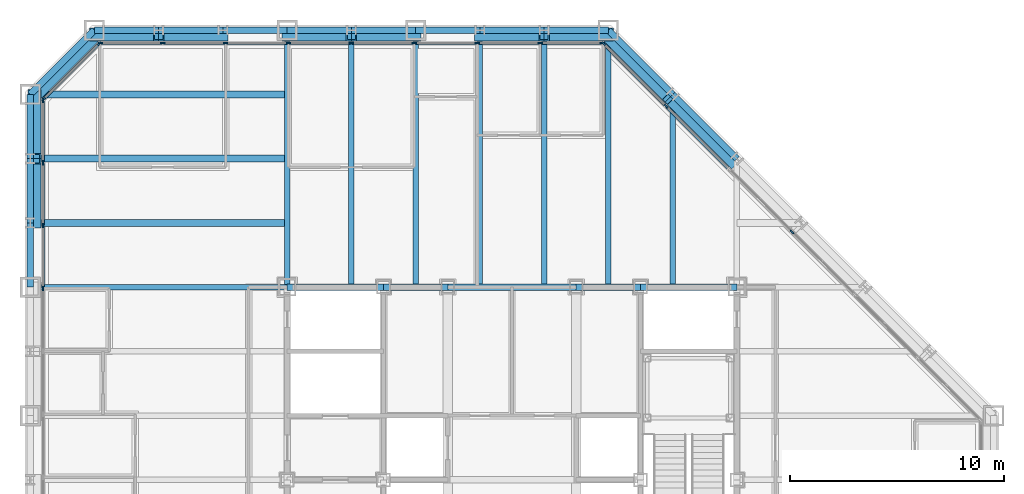
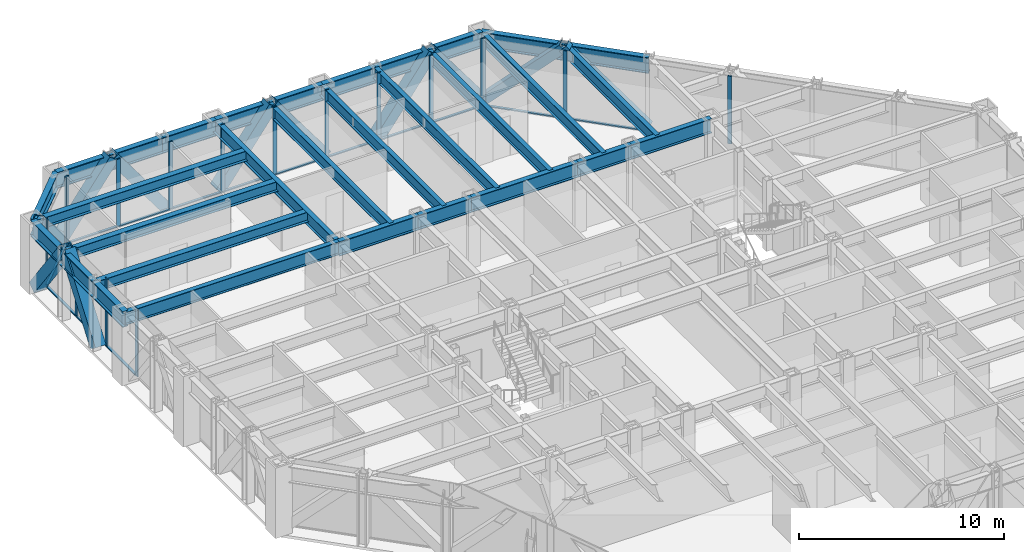
# One storey, part 7 of 16: 43 members, 30 beams, 4 elements without a shape of their own.
"""IFC4 building model written with IfcOpenShell, lengths in metres."""

from ifc_helpers import new_model, si_unit, direction, frame, origin, origin_2d, place, context, subcontext, project, spatial, rectangle, hollow_rectangle, i_section, extrude, material, layer, layer_set, material_profile, profile_set, type_object, element, aggregate, save


model = new_model("IFC4")

# Units and contexts
model_context = context("Model", 3, precision=1e-05, world=origin(), true_north=direction((0.0, 1.0)))
body_context = subcontext(model_context, "Body", "Model", "MODEL_VIEW")
ifc_project = project(units=[si_unit("LENGTHUNIT", "METRE"), si_unit("AREAUNIT", "SQUARE_METRE"), si_unit("VOLUMEUNIT", "CUBIC_METRE"), si_unit("PLANEANGLEUNIT", "RADIAN"), si_unit("MASSUNIT", "GRAM", prefix="KILO")], contexts=[model_context])

# Site, building, storey
site_placement = place(None, origin())
site = spatial("IfcSite", under=ifc_project, at=site_placement, CompositionType="ELEMENT")
building_placement = place(site_placement, origin())
building = spatial("IfcBuilding", under=site, at=building_placement, Name="Chuquiago Exchange Tower", CompositionType="ELEMENT")
storey_placement = place(building_placement, frame((0.0, 0.0, 161.39990234375)))
storey = spatial("IfcBuildingStorey", under=building, at=storey_placement, Name="L35", CompositionType="ELEMENT", Elevation=161.39990234375)

# Beams
ifc_material_1 = material(Name="Steel ASTM A992", Category="steel")
ifc_material_profile_1 = material_profile(ifc_material_1, i_section(OverallWidth=0.25390625, OverallDepth=0.683349609375, WebThickness=0.012451171875, FlangeThickness=0.018798828125, at=origin_2d()), Name="W27X94")
ifc_profile_set_1 = profile_set([ifc_material_profile_1], Name="Steel ASTM A992")
beam_type_1 = type_object("IfcBeamType", Name="B1 W27X94", PredefinedType="BEAM", material=ifc_profile_set_1)
for number, where, z_axis, x_axis, name in (
    (1, (15.0, 33.0, 3.698486328125), (0.0, 1.0, 0.0), (-1.0, 0.0, 0.0), "FB-L36-infill-15_33-15_45-0"),
    (2, (18.0, 33.0, 3.698486328125), (0.0, 1.0, 0.0), (-1.0, 0.0, 0.0), "FB-L36-infill-18_33-18_45-0"),
    (3, (21.0, 33.0, 3.698486328125), (0.0, 1.0, 0.0), (-1.0, 0.0, 0.0), "FB-L36-infill-21_33-21_45-0"),
    (4, (24.0, 33.0, 3.698486328125), (0.0, 1.0, 0.0), (-1.0, 0.0, 0.0), "FB-L36-infill-24_33-24_45-0"),
    (5, (27.0, 33.0, 3.698486328125), (0.0, 1.0, 0.0), (-1.0, 0.0, 0.0), "FB-L36-infill-27_33-27_45-0"),
):
    element("IfcBeam", number, at=place(storey_placement, frame(where, z_axis=z_axis, x_axis=x_axis)), inside=storey, type_object=beam_type_1, Name=name, PredefinedType="BEAM", context=body_context, shape_type="SweptSolid", body=[
        extrude(i_section(OverallWidth=0.25390625, OverallDepth=0.683349609375, WebThickness=0.012451171875, FlangeThickness=0.018798828125, at=origin_2d()), origin(), (0.0, 0.0, 1.0), 12.0),
    ])
beam_1_placement = place(storey_placement, frame((30.0, 33.0, 3.698486328125), z_axis=(0.0, 1.0, 0.0), x_axis=(-1.0, 0.0, 0.0)))
element("IfcBeam", 6, at=beam_1_placement, inside=storey, type_object=beam_type_1, Name="FB-L36-infill-30_33-30_42-0", PredefinedType="BEAM", context=body_context, shape_type="SweptSolid", body=[
    extrude(i_section(OverallWidth=0.25390625, OverallDepth=0.683349609375, WebThickness=0.012451171875, FlangeThickness=0.018798828125, at=origin_2d()), origin(), (0.0, 0.0, 1.0), 9.0),
])
ifc_material_2 = material(Name="Steel ASTM A992", Category="steel")
ifc_material_profile_2 = material_profile(ifc_material_2, i_section(OverallWidth=0.3251953125, OverallDepth=0.612060546875, WebThickness=0.0126953125, FlangeThickness=0.01904296875, at=origin_2d()), Name="W24X104")
ifc_profile_set_2 = profile_set([ifc_material_profile_2], Name="Steel ASTM A992")
beam_type_2 = type_object("IfcBeamType", Name="B2 W24X104", PredefinedType="BEAM", material=ifc_profile_set_2)
for number, where, z_axis, x_axis, name in (
    (7, (12.0, 36.0, 3.73388671875), (-1.0, 0.0, 0.0), (0.0, -1.0, 0.0), "FB-L36-corner-12_36--0_36-0"),
    (8, (12.0, 39.0, 3.73388671875), (-1.0, 0.0, 0.0), (0.0, -1.0, 0.0), "FB-L36-corner-12_39--0_39-0"),
    (9, (12.0, 42.0, 3.73388671875), (-1.0, 0.0, 0.0), (0.0, -1.0, 0.0), "FB-L36-corner-12_42--0_42-0"),
):
    element("IfcBeam", number, at=place(storey_placement, frame(where, z_axis=z_axis, x_axis=x_axis)), inside=storey, type_object=beam_type_2, Name=name, PredefinedType="BEAM", context=body_context, shape_type="SweptSolid", body=[
        extrude(i_section(OverallWidth=0.3251953125, OverallDepth=0.612060546875, WebThickness=0.0126953125, FlangeThickness=0.01904296875, at=origin_2d()), origin(), (0.0, 0.0, 1.0), 12.0),
    ])
ifc_material_3 = material(Name="Steel ASTM A992", Category="steel")
ifc_material_profile_3 = material_profile(ifc_material_3, i_section(OverallWidth=0.2919921875, OverallDepth=0.8583984375, WebThickness=0.01708984375, FlangeThickness=0.031005859375, at=origin_2d()), Name="W33X169")
ifc_profile_set_3 = profile_set([ifc_material_profile_3], Name="Steel ASTM A992")
beam_type_3 = type_object("IfcBeamType", Name="B3 W33X169", PredefinedType="BEAM", material=ifc_profile_set_3)
beam_2_placement = place(storey_placement, frame((12.0, 33.0, 3.61083984375), z_axis=(1.0, 0.0, 0.0), x_axis=(0.0, 1.0, 0.0)))
element("IfcBeam", 10, at=beam_2_placement, inside=storey, type_object=beam_type_3, Name="CB-L36-12_33-16.5_33", PredefinedType="BEAM", context=body_context, shape_type="SweptSolid", body=[
    extrude(i_section(OverallWidth=0.2919921875, OverallDepth=0.8583984375, WebThickness=0.01708984375, FlangeThickness=0.031005859375, at=origin_2d()), origin(), (0.0, 0.0, 1.0), 4.5),
])
beam_3_placement = place(storey_placement, frame((16.5, 33.0, 3.61083984375), z_axis=(1.0, 0.0, 0.0), x_axis=(0.0, 1.0, 0.0)))
element("IfcBeam", 11, at=beam_3_placement, inside=storey, type_object=beam_type_3, Name="CB-L36-16.5_33-19.5_33", PredefinedType="BEAM", context=body_context, shape_type="SweptSolid", body=[
    extrude(i_section(OverallWidth=0.2919921875, OverallDepth=0.8583984375, WebThickness=0.01708984375, FlangeThickness=0.031005859375, at=origin_2d()), origin(), (0.0, 0.0, 1.0), 3.0),
])
beam_4_placement = place(storey_placement, frame((19.5, 33.0, 3.61083984375), z_axis=(1.0, 0.0, 0.0), x_axis=(0.0, 1.0, 0.0)))
element("IfcBeam", 12, at=beam_4_placement, inside=storey, type_object=beam_type_3, Name="CB-L36-19.5_33-25.5_33", PredefinedType="BEAM", context=body_context, shape_type="SweptSolid", body=[
    extrude(i_section(OverallWidth=0.2919921875, OverallDepth=0.8583984375, WebThickness=0.01708984375, FlangeThickness=0.031005859375, at=origin_2d()), origin(), (0.0, 0.0, 1.0), 6.0),
])
beam_5_placement = place(storey_placement, frame((25.5, 33.0, 3.61083984375), z_axis=(1.0, 0.0, 0.0), x_axis=(0.0, 1.0, 0.0)))
element("IfcBeam", 13, at=beam_5_placement, inside=storey, type_object=beam_type_3, Name="CB-L36-25.5_33-28.5_33", PredefinedType="BEAM", context=body_context, shape_type="SweptSolid", body=[
    extrude(i_section(OverallWidth=0.2919921875, OverallDepth=0.8583984375, WebThickness=0.01708984375, FlangeThickness=0.031005859375, at=origin_2d()), origin(), (0.0, 0.0, 1.0), 3.0),
])
beam_6_placement = place(storey_placement, frame((28.5, 33.0, 3.61083984375), z_axis=(1.0, 0.0, 0.0), x_axis=(0.0, 1.0, 0.0)))
element("IfcBeam", 14, at=beam_6_placement, inside=storey, type_object=beam_type_3, Name="CB-L36-28.5_33-33_33", PredefinedType="BEAM", context=body_context, shape_type="SweptSolid", body=[
    extrude(i_section(OverallWidth=0.2919921875, OverallDepth=0.8583984375, WebThickness=0.01708984375, FlangeThickness=0.031005859375, at=origin_2d()), origin(), (0.0, 0.0, 1.0), 4.5),
])

# Curtain wall, members
ifc_material_4 = material(Name="Aluminium curtain wall system", Category="aluminium")
ifc_layer_1 = layer(ifc_material_4, 0.22509765625)
ifc_layer_set_1 = layer_set([ifc_layer_1], Name="CW2 office curtain wall")
curtain_wall_type_1 = type_object("IfcCurtainWallType", Name="CW2 office curtain wall", PredefinedType="NOTDEFINED", material=ifc_layer_set_1)
curtain_wall_1_placement = place(storey_placement, origin())
curtain_wall_1 = element("IfcCurtainWall", 15, at=curtain_wall_1_placement, inside=storey, type_object=curtain_wall_type_1, Name="CW2 curtain wall L35", PredefinedType="NOTDEFINED")
ifc_material_5 = material(Name="Aluminium mullion, pale anodised", Category="aluminium")
ifc_material_profile_4 = material_profile(ifc_material_5, rectangle(XDim=0.06494140625, YDim=0.22509765625, at=origin_2d()), Name="AL 65x225")
ifc_profile_set_4 = profile_set([ifc_material_profile_4], Name="Aluminium mullion, pale anodised")
member_type_1 = type_object("IfcMemberType", Name="CW2-M mullion 65x225", PredefinedType="MULLION", material=ifc_profile_set_4)
member_1_placement = place(storey_placement, frame((26.718994140625, 44.39990234375, 0.0), z_axis=(0.0, 0.0, 1.0), x_axis=(0.0, -1.0, 0.0)))
member_1 = element("IfcMember", 16, at=member_1_placement, type_object=member_type_1, Name="CW2 mullion 1", PredefinedType="MULLION", context=body_context, shape_type="SweptSolid", body=[
    extrude(rectangle(XDim=0.06494140625, YDim=0.22509765625, at=origin_2d()), origin(), (0.0, 0.0, 1.0), 4.0400390625),
])
member_2_placement = place(storey_placement, frame((23.813720703125, 44.39990234375, 0.0), z_axis=(0.0, 0.0, 1.0), x_axis=(0.0, -1.0, 0.0)))
member_2 = element("IfcMember", 17, at=member_2_placement, type_object=member_type_1, Name="CW2 mullion 2", PredefinedType="MULLION", context=body_context, shape_type="SweptSolid", body=[
    extrude(rectangle(XDim=0.06494140625, YDim=0.22509765625, at=origin_2d()), origin(), (0.0, 0.0, 1.0), 4.0400390625),
])
member_3_placement = place(storey_placement, frame((20.875732421875, 44.39990234375, 0.0), z_axis=(0.0, 0.0, 1.0), x_axis=(0.0, -1.0, 0.0)))
member_3 = element("IfcMember", 18, at=member_3_placement, type_object=member_type_1, Name="CW2 mullion 3", PredefinedType="MULLION", context=body_context, shape_type="SweptSolid", body=[
    extrude(rectangle(XDim=0.06494140625, YDim=0.22509765625, at=origin_2d()), origin(), (0.0, 0.0, 1.0), 4.0400390625),
])
member_4_placement = place(storey_placement, frame((17.93798828125, 44.39990234375, 0.0), z_axis=(0.0, 0.0, 1.0), x_axis=(0.0, -1.0, 0.0)))
member_4 = element("IfcMember", 19, at=member_4_placement, type_object=member_type_1, Name="CW2 mullion 4", PredefinedType="MULLION", context=body_context, shape_type="SweptSolid", body=[
    extrude(rectangle(XDim=0.06494140625, YDim=0.22509765625, at=origin_2d()), origin(), (0.0, 0.0, 1.0), 4.0400390625),
])
member_5_placement = place(storey_placement, frame((15.0, 44.39990234375, 0.0), z_axis=(0.0, 0.0, 1.0), x_axis=(0.0, -1.0, 0.0)))
member_5 = element("IfcMember", 20, at=member_5_placement, type_object=member_type_1, Name="CW2 mullion 5", PredefinedType="MULLION", context=body_context, shape_type="SweptSolid", body=[
    extrude(rectangle(XDim=0.06494140625, YDim=0.22509765625, at=origin_2d()), origin(), (0.0, 0.0, 1.0), 4.0400390625),
])
member_6_placement = place(storey_placement, frame((12.06201171875, 44.39990234375, 0.0), z_axis=(0.0, 0.0, 1.0), x_axis=(0.0, -1.0, 0.0)))
member_6 = element("IfcMember", 21, at=member_6_placement, type_object=member_type_1, Name="CW2 mullion 6", PredefinedType="MULLION", context=body_context, shape_type="SweptSolid", body=[
    extrude(rectangle(XDim=0.06494140625, YDim=0.22509765625, at=origin_2d()), origin(), (0.0, 0.0, 1.0), 4.0400390625),
])
member_7_placement = place(storey_placement, frame((9.124267578125, 44.39990234375, 0.0), z_axis=(0.0, 0.0, 1.0), x_axis=(0.0, -1.0, 0.0)))
member_7 = element("IfcMember", 22, at=member_7_placement, type_object=member_type_1, Name="CW2 mullion 7", PredefinedType="MULLION", context=body_context, shape_type="SweptSolid", body=[
    extrude(rectangle(XDim=0.06494140625, YDim=0.22509765625, at=origin_2d()), origin(), (0.0, 0.0, 1.0), 4.0400390625),
])
member_8_placement = place(storey_placement, frame((6.186279296875, 44.39990234375, 0.0), z_axis=(0.0, 0.0, 1.0), x_axis=(0.0, -1.0, 0.0)))
member_8 = element("IfcMember", 23, at=member_8_placement, type_object=member_type_1, Name="CW2 mullion 8", PredefinedType="MULLION", context=body_context, shape_type="SweptSolid", body=[
    extrude(rectangle(XDim=0.06494140625, YDim=0.22509765625, at=origin_2d()), origin(), (0.0, 0.0, 1.0), 4.0400390625),
])
member_9_placement = place(storey_placement, frame((3.281005859375, 44.39990234375, 0.0), z_axis=(0.0, 0.0, 1.0), x_axis=(0.0, -1.0, 0.0)))
member_9 = element("IfcMember", 24, at=member_9_placement, type_object=member_type_1, Name="CW2 mullion 9", PredefinedType="MULLION", context=body_context, shape_type="SweptSolid", body=[
    extrude(rectangle(XDim=0.06494140625, YDim=0.22509765625, at=origin_2d()), origin(), (0.0, 0.0, 1.0), 4.0400390625),
])

curtain_wall_2_placement = place(storey_placement, origin())
curtain_wall_2 = element("IfcCurtainWall", 25, at=curtain_wall_2_placement, inside=storey, type_object=curtain_wall_type_1, Name="CW2 curtain wall L35", PredefinedType="NOTDEFINED")
member_10_placement = place(storey_placement, frame((0.60009765625, 41.718994140625, 0.0), z_axis=(0.0, 0.0, 1.0), x_axis=(1.0, 0.0, 0.0)))
member_10 = element("IfcMember", 26, at=member_10_placement, type_object=member_type_1, Name="CW2 mullion 1", PredefinedType="MULLION", context=body_context, shape_type="SweptSolid", body=[
    extrude(rectangle(XDim=0.06494140625, YDim=0.22509765625, at=origin_2d()), origin(), (0.0, 0.0, 1.0), 4.0400390625),
])
member_11_placement = place(storey_placement, frame((0.60009765625, 38.813720703125, 0.0), z_axis=(0.0, 0.0, 1.0), x_axis=(1.0, 0.0, 0.0)))
member_11 = element("IfcMember", 27, at=member_11_placement, type_object=member_type_1, Name="CW2 mullion 2", PredefinedType="MULLION", context=body_context, shape_type="SweptSolid", body=[
    extrude(rectangle(XDim=0.06494140625, YDim=0.22509765625, at=origin_2d()), origin(), (0.0, 0.0, 1.0), 4.0400390625),
])
member_12_placement = place(storey_placement, frame((0.60009765625, 35.875732421875, 0.0), z_axis=(0.0, 0.0, 1.0), x_axis=(1.0, 0.0, 0.0)))
member_12 = element("IfcMember", 28, at=member_12_placement, type_object=member_type_1, Name="CW2 mullion 3", PredefinedType="MULLION", context=body_context, shape_type="SweptSolid", body=[
    extrude(rectangle(XDim=0.06494140625, YDim=0.22509765625, at=origin_2d()), origin(), (0.0, 0.0, 1.0), 4.0400390625),
])
member_13_placement = place(storey_placement, frame((0.60009765625, 32.93798828125, 0.0), z_axis=(0.0, 0.0, 1.0), x_axis=(1.0, 0.0, 0.0)))
member_13 = element("IfcMember", 29, at=member_13_placement, type_object=member_type_1, Name="CW2 mullion 4", PredefinedType="MULLION", context=body_context, shape_type="SweptSolid", body=[
    extrude(rectangle(XDim=0.06494140625, YDim=0.22509765625, at=origin_2d()), origin(), (0.0, 0.0, 1.0), 4.0400390625),
])

# Member
ifc_material_6 = material(Name="Aluminium transom, pale anodised", Category="aluminium")
ifc_material_profile_5 = material_profile(ifc_material_6, rectangle(XDim=0.139892578125, YDim=0.06494140625, at=origin_2d()), Name="AL 140x65")
ifc_profile_set_5 = profile_set([ifc_material_profile_5], Name="Aluminium transom, pale anodised")
member_type_2 = type_object("IfcMemberType", Name="CW2-T transom 65x140", PredefinedType="MULLION", material=ifc_profile_set_5)
member_14_placement = place(storey_placement, frame((26.6865234375, 44.39990234375, 0.03271484375), z_axis=(-1.0, 0.0, 0.0), x_axis=(0.0, -1.0, 0.0)))
member_14 = element("IfcMember", 30, at=member_14_placement, type_object=member_type_2, Name="CW2 transom 1.1", PredefinedType="MULLION", context=body_context, shape_type="SweptSolid", body=[
    extrude(rectangle(XDim=0.139892578125, YDim=0.06494140625, at=origin_2d()), origin(), (0.0, 0.0, 1.0), 2.84033203125),
])

member_15_placement = place(storey_placement, frame((23.781005859375, 44.39990234375, 0.03271484375), z_axis=(-1.0, 0.0, 0.0), x_axis=(0.0, -1.0, 0.0)))
member_15 = element("IfcMember", 31, at=member_15_placement, type_object=member_type_2, Name="CW2 transom 2.1", PredefinedType="MULLION", context=body_context, shape_type="SweptSolid", body=[
    extrude(rectangle(XDim=0.139892578125, YDim=0.06494140625, at=origin_2d()), origin(), (0.0, 0.0, 1.0), 2.872802734375),
])

member_16_placement = place(storey_placement, frame((20.84326171875, 44.39990234375, 0.03271484375), z_axis=(-1.0, 0.0, 0.0), x_axis=(0.0, -1.0, 0.0)))
member_16 = element("IfcMember", 32, at=member_16_placement, type_object=member_type_2, Name="CW2 transom 3.1", PredefinedType="MULLION", context=body_context, shape_type="SweptSolid", body=[
    extrude(rectangle(XDim=0.139892578125, YDim=0.06494140625, at=origin_2d()), origin(), (0.0, 0.0, 1.0), 2.872802734375),
])

member_17_placement = place(storey_placement, frame((17.9052734375, 44.39990234375, 0.03271484375), z_axis=(-1.0, 0.0, 0.0), x_axis=(0.0, -1.0, 0.0)))
member_17 = element("IfcMember", 33, at=member_17_placement, type_object=member_type_2, Name="CW2 transom 4.1", PredefinedType="MULLION", context=body_context, shape_type="SweptSolid", body=[
    extrude(rectangle(XDim=0.139892578125, YDim=0.06494140625, at=origin_2d()), origin(), (0.0, 0.0, 1.0), 2.872802734375),
])

member_18_placement = place(storey_placement, frame((14.967529296875, 44.39990234375, 0.03271484375), z_axis=(-1.0, 0.0, 0.0), x_axis=(0.0, -1.0, 0.0)))
member_18 = element("IfcMember", 34, at=member_18_placement, type_object=member_type_2, Name="CW2 transom 5.1", PredefinedType="MULLION", context=body_context, shape_type="SweptSolid", body=[
    extrude(rectangle(XDim=0.139892578125, YDim=0.06494140625, at=origin_2d()), origin(), (0.0, 0.0, 1.0), 2.872802734375),
])

member_19_placement = place(storey_placement, frame((12.029541015625, 44.39990234375, 0.03271484375), z_axis=(-1.0, 0.0, 0.0), x_axis=(0.0, -1.0, 0.0)))
member_19 = element("IfcMember", 35, at=member_19_placement, type_object=member_type_2, Name="CW2 transom 6.1", PredefinedType="MULLION", context=body_context, shape_type="SweptSolid", body=[
    extrude(rectangle(XDim=0.139892578125, YDim=0.06494140625, at=origin_2d()), origin(), (0.0, 0.0, 1.0), 2.872802734375),
])

member_20_placement = place(storey_placement, frame((9.091796875, 44.39990234375, 0.03271484375), z_axis=(-1.0, 0.0, 0.0), x_axis=(0.0, -1.0, 0.0)))
member_20 = element("IfcMember", 36, at=member_20_placement, type_object=member_type_2, Name="CW2 transom 7.1", PredefinedType="MULLION", context=body_context, shape_type="SweptSolid", body=[
    extrude(rectangle(XDim=0.139892578125, YDim=0.06494140625, at=origin_2d()), origin(), (0.0, 0.0, 1.0), 2.872802734375),
])

member_21_placement = place(storey_placement, frame((6.15380859375, 44.39990234375, 0.03271484375), z_axis=(-1.0, 0.0, 0.0), x_axis=(0.0, -1.0, 0.0)))
member_21 = element("IfcMember", 37, at=member_21_placement, type_object=member_type_2, Name="CW2 transom 8.1", PredefinedType="MULLION", context=body_context, shape_type="SweptSolid", body=[
    extrude(rectangle(XDim=0.139892578125, YDim=0.06494140625, at=origin_2d()), origin(), (0.0, 0.0, 1.0), 2.84033203125),
])

aggregate(curtain_wall_1, [member_1, member_2, member_3, member_4, member_5, member_6, member_7, member_8, member_9, member_14, member_15, member_16, member_17, member_18, member_19, member_20, member_21])

member_22_placement = place(storey_placement, frame((0.60009765625, 41.6865234375, 0.03271484375), z_axis=(0.0, -1.0, 0.0), x_axis=(1.0, 0.0, 0.0)))
member_22 = element("IfcMember", 38, at=member_22_placement, type_object=member_type_2, Name="CW2 transom 1.1", PredefinedType="MULLION", context=body_context, shape_type="SweptSolid", body=[
    extrude(rectangle(XDim=0.139892578125, YDim=0.06494140625, at=origin_2d()), origin(), (0.0, 0.0, 1.0), 2.84033203125),
])

member_23_placement = place(storey_placement, frame((0.60009765625, 38.781005859375, 0.03271484375), z_axis=(0.0, -1.0, 0.0), x_axis=(1.0, 0.0, 0.0)))
member_23 = element("IfcMember", 39, at=member_23_placement, type_object=member_type_2, Name="CW2 transom 2.1", PredefinedType="MULLION", context=body_context, shape_type="SweptSolid", body=[
    extrude(rectangle(XDim=0.139892578125, YDim=0.06494140625, at=origin_2d()), origin(), (0.0, 0.0, 1.0), 2.872802734375),
])

member_24_placement = place(storey_placement, frame((0.60009765625, 35.84326171875, 0.03271484375), z_axis=(0.0, -1.0, 0.0), x_axis=(1.0, 0.0, 0.0)))
member_24 = element("IfcMember", 40, at=member_24_placement, type_object=member_type_2, Name="CW2 transom 3.1", PredefinedType="MULLION", context=body_context, shape_type="SweptSolid", body=[
    extrude(rectangle(XDim=0.139892578125, YDim=0.06494140625, at=origin_2d()), origin(), (0.0, 0.0, 1.0), 2.872802734375),
])

aggregate(curtain_wall_2, [member_10, member_11, member_12, member_13, member_22, member_23, member_24])

# Curtain wall, members
ifc_material_7 = material(Name="Aluminium curtain wall system", Category="aluminium")
ifc_layer_2 = layer(ifc_material_7, 0.199951171875)
ifc_layer_set_2 = layer_set([ifc_layer_2], Name="CW3 facet curtain wall")
curtain_wall_type_2 = type_object("IfcCurtainWallType", Name="CW3 facet curtain wall", PredefinedType="NOTDEFINED", material=ifc_layer_set_2)
curtain_wall_3_placement = place(storey_placement, origin())
curtain_wall_3 = element("IfcCurtainWall", 41, at=curtain_wall_3_placement, inside=storey, type_object=curtain_wall_type_2, Name="CW3 curtain wall L35", PredefinedType="NOTDEFINED")
ifc_material_8 = material(Name="Aluminium mullion, pale anodised", Category="aluminium")
ifc_material_profile_6 = material_profile(ifc_material_8, rectangle(XDim=0.06494140625, YDim=0.199951171875, at=origin_2d()), Name="AL 65x200")
ifc_profile_set_6 = profile_set([ifc_material_profile_6], Name="Aluminium mullion, pale anodised")
member_type_3 = type_object("IfcMemberType", Name="CW3-M mullion 65x200", PredefinedType="MULLION", material=ifc_profile_set_6)
member_25_placement = place(storey_placement, frame((35.57568359375, 35.57568359375, 0.0), z_axis=(0.0, 0.0, 1.0), x_axis=(-0.707106781187, -0.707106781187, 0.0)))
member_25 = element("IfcMember", 42, at=member_25_placement, type_object=member_type_3, Name="CW3 mullion 4", PredefinedType="MULLION", context=body_context, shape_type="SweptSolid", body=[
    extrude(rectangle(XDim=0.06494140625, YDim=0.199951171875, at=origin_2d()), origin(), (0.0, 0.0, 1.0), 4.0400390625),
])
member_26_placement = place(storey_placement, frame((29.69287109375, 41.45849609375, 0.0), z_axis=(0.0, 0.0, 1.0), x_axis=(-0.707106781187, -0.707106781187, 0.0)))
member_26 = element("IfcMember", 43, at=member_26_placement, type_object=member_type_3, Name="CW3 mullion 6", PredefinedType="MULLION", context=body_context, shape_type="SweptSolid", body=[
    extrude(rectangle(XDim=0.06494140625, YDim=0.199951171875, at=origin_2d()), origin(), (0.0, 0.0, 1.0), 4.0400390625),
])
member_27_placement = place(storey_placement, frame((26.7744140625, 44.376953125, 0.0), z_axis=(0.0, 0.0, 1.0), x_axis=(-0.707106781187, -0.707106781187, 0.0)))
member_27 = element("IfcMember", 44, at=member_27_placement, type_object=member_type_3, Name="CW3 mullion 7", PredefinedType="MULLION", context=body_context, shape_type="SweptSolid", body=[
    extrude(rectangle(XDim=0.06494140625, YDim=0.199951171875, at=origin_2d()), origin(), (0.0, 0.0, 1.0), 4.0400390625),
])

curtain_wall_4_placement = place(storey_placement, origin())
curtain_wall_4 = element("IfcCurtainWall", 45, at=curtain_wall_4_placement, inside=storey, type_object=curtain_wall_type_2, Name="CW3 curtain wall L35", PredefinedType="NOTDEFINED")
member_28_placement = place(storey_placement, frame((3.2255859375, 44.376953125, 0.0), z_axis=(0.0, 0.0, 1.0), x_axis=(0.707106781187, -0.707106781187, 0.0)))
member_28 = element("IfcMember", 46, at=member_28_placement, type_object=member_type_3, Name="CW3 mullion 1", PredefinedType="MULLION", context=body_context, shape_type="SweptSolid", body=[
    extrude(rectangle(XDim=0.06494140625, YDim=0.199951171875, at=origin_2d()), origin(), (0.0, 0.0, 1.0), 4.0400390625),
])
member_29_placement = place(storey_placement, frame((0.623046875, 41.7744140625, 0.0), z_axis=(0.0, 0.0, 1.0), x_axis=(0.707106781187, -0.707106781187, 0.0)))
member_29 = element("IfcMember", 47, at=member_29_placement, type_object=member_type_3, Name="CW3 mullion 2", PredefinedType="MULLION", context=body_context, shape_type="SweptSolid", body=[
    extrude(rectangle(XDim=0.06494140625, YDim=0.199951171875, at=origin_2d()), origin(), (0.0, 0.0, 1.0), 4.0400390625),
])

# Member
ifc_material_9 = material(Name="Aluminium transom, pale anodised", Category="aluminium")
ifc_material_profile_7 = material_profile(ifc_material_9, rectangle(XDim=0.139892578125, YDim=0.06494140625, at=origin_2d()), Name="AL 140x65")
ifc_profile_set_7 = profile_set([ifc_material_profile_7], Name="Aluminium transom, pale anodised")
member_type_4 = type_object("IfcMemberType", Name="CW3-T transom 65x140", PredefinedType="MULLION", material=ifc_profile_set_7)
member_30_placement = place(storey_placement, frame((32.611328125, 38.5400390625, 0.03271484375), z_axis=(-0.707106781187, 0.707106781187, 0.0), x_axis=(-0.707106781187, -0.707106781187, 0.0)))
member_30 = element("IfcMember", 48, at=member_30_placement, type_object=member_type_4, Name="CW3 transom 5.1", PredefinedType="MULLION", context=body_context, shape_type="SweptSolid", body=[
    extrude(rectangle(XDim=0.139892578125, YDim=0.06494140625, at=origin_2d()), origin(), (0.0, 0.0, 1.0), 4.094970703125),
])

member_31_placement = place(storey_placement, frame((29.669921875, 41.4814453125, 0.03271484375), z_axis=(-0.707106781187, 0.707106781187, 0.0), x_axis=(-0.707106781187, -0.707106781187, 0.0)))
member_31 = element("IfcMember", 49, at=member_31_placement, type_object=member_type_4, Name="CW3 transom 6.1", PredefinedType="MULLION", context=body_context, shape_type="SweptSolid", body=[
    extrude(rectangle(XDim=0.139892578125, YDim=0.06494140625, at=origin_2d()), origin(), (0.0, 0.0, 1.0), 4.0625),
])

aggregate(curtain_wall_3, [member_25, member_26, member_27, member_30, member_31])

member_32_placement = place(storey_placement, frame((3.20263671875, 44.35400390625, 0.03271484375), z_axis=(-0.707106781187, -0.707106781187, 0.0), x_axis=(0.707106781187, -0.707106781187, 0.0)))
member_32 = element("IfcMember", 50, at=member_32_placement, type_object=member_type_4, Name="CW3 transom 1.1", PredefinedType="MULLION", context=body_context, shape_type="SweptSolid", body=[
    extrude(rectangle(XDim=0.139892578125, YDim=0.06494140625, at=origin_2d()), origin(), (0.0, 0.0, 1.0), 3.61572265625),
])

aggregate(curtain_wall_4, [member_28, member_29, member_32])

# Beams
ifc_material_10 = material(Name="Steel ASTM A992", Category="steel")
ifc_material_profile_8 = material_profile(ifc_material_10, i_section(OverallWidth=0.2666015625, OverallDepth=0.76953125, WebThickness=0.015625, FlangeThickness=0.025390625, at=origin_2d()), Name="W30X132")
ifc_profile_set_8 = profile_set([ifc_material_profile_8], Name="Steel ASTM A992")
beam_type_4 = type_object("IfcBeamType", Name="G1 W30X132", PredefinedType="BEAM", material=ifc_profile_set_8)
for number, where, z_axis, x_axis, name in (
    (51, (12.0, 33.0, 3.6552734375), (0.0, 1.0, 0.0), (-1.0, 0.0, 0.0), "FB-L36-girder-12_33-12_45-0"),
    (52, (12.0, 33.0, 3.6552734375), (-1.0, 0.0, 0.0), (0.0, -1.0, 0.0), "FB-L36-girder-12_33--0_33-0"),
):
    element("IfcBeam", number, at=place(storey_placement, frame(where, z_axis=z_axis, x_axis=x_axis)), inside=storey, type_object=beam_type_4, Name=name, PredefinedType="BEAM", context=body_context, shape_type="SweptSolid", body=[
        extrude(i_section(OverallWidth=0.2666015625, OverallDepth=0.76953125, WebThickness=0.015625, FlangeThickness=0.025390625, at=origin_2d()), origin(), (0.0, 0.0, 1.0), 12.0),
    ])

# Members
ifc_material_11 = material(Name="Steel ASTM A500 Grade C", Category="steel")
ifc_material_profile_9 = material_profile(ifc_material_11, hollow_rectangle(XDim=0.508056640625, YDim=0.508056640625, WallThickness=0.017822265625, at=origin_2d()), Name="HSS20X20X3/4")
ifc_profile_set_9 = profile_set([ifc_material_profile_9], Name="Steel ASTM A500 Grade C")
member_type_5 = type_object("IfcMemberType", Name="LB1 HSS20X20X3/4", PredefinedType="BRACE", material=ifc_profile_set_9)
for number, where, z_axis, x_axis, name in (
    (53, (32.822509765625, 38.822509765625, 0.0), (-0.512077265487, 0.512077265487, 0.689604051861), (-0.707106781187, -0.707106781187, 0.0), "LB-L35-33_39-30_42"),
    (54, (26.822509765625, 44.822509765625, 0.0), (0.512077265487, -0.512077265487, 0.689604051861), (0.707106781187, 0.707106781187, 0.0), "LB-L35-30_42-27_45"),
    (55, (3.177490234375, 44.822509765625, 0.0), (-0.512077265487, -0.512077265487, 0.689604051861), (0.707106781187, -0.707106781187, 0.0), "LB-L35-3_45-0_42"),
):
    element("IfcMember", number, at=place(storey_placement, frame(where, z_axis=z_axis, x_axis=x_axis)), inside=storey, type_object=member_type_5, Name=name, PredefinedType="BRACE", context=body_context, shape_type="SweptSolid", body=[
        extrude(hollow_rectangle(XDim=0.508056640625, YDim=0.508056640625, WallThickness=0.017822265625, at=origin_2d()), origin(), (0.0, 0.0, 1.0), 5.8583984375),
    ])
ifc_material_12 = material(Name="Steel ASTM A572 Grade 50", Category="steel")
ifc_material_profile_10 = material_profile(ifc_material_12, hollow_rectangle(XDim=0.60009765625, YDim=0.60009765625, WallThickness=0.06005859375, at=origin_2d()), Name="BOX600X600X60")
ifc_profile_set_10 = profile_set([ifc_material_profile_10], Name="Steel ASTM A572 Grade 50")
member_type_6 = type_object("IfcMemberType", Name="MB2 BOX600X600X60", PredefinedType="BRACE", material=ifc_profile_set_10)
for number, where, z_axis, x_axis, name in (
    (56, (27.0, 44.794921875, 0.0), (-0.596173923302, 0.0, 0.802855312728), (0.0, -1.0, 0.0), "Mega diagonal L35 N face"),
    (57, (21.0, 44.794921875, 0.0), (0.596173923302, 0.0, 0.802855312728), (0.0, 1.0, 0.0), "Mega diagonal L35 N face"),
    (58, (18.0, 44.794921875, 0.0), (-0.596173923302, 0.0, 0.802855312728), (0.0, -1.0, 0.0), "Mega diagonal L35 N face"),
    (59, (12.0, 44.794921875, 0.0), (0.596173923302, 0.0, 0.802855312728), (0.0, 1.0, 0.0), "Mega diagonal L35 N face"),
    (60, (9.0, 44.794921875, 0.0), (-0.596173923302, 0.0, 0.802855312728), (0.0, -1.0, 0.0), "Mega diagonal L35 N face"),
    (61, (3.0, 44.794921875, 0.0), (0.596173923302, 0.0, 0.802855312728), (0.0, 1.0, 0.0), "Mega diagonal L35 N face"),
    (62, (0.205078125, 42.0, 0.0), (0.0, -0.596173923302, 0.802855312728), (1.0, 0.0, 0.0), "Mega diagonal L35 W face"),
    (63, (0.205078125, 36.0, 0.0), (0.0, 0.596173923302, 0.802855312728), (-1.0, 0.0, 0.0), "Mega diagonal L35 W face"),
):
    element("IfcMember", number, at=place(storey_placement, frame(where, z_axis=z_axis, x_axis=x_axis)), inside=storey, type_object=member_type_6, Name=name, PredefinedType="BRACE", context=body_context, shape_type="SweptSolid", body=[
        extrude(hollow_rectangle(XDim=0.60009765625, YDim=0.60009765625, WallThickness=0.06005859375, at=origin_2d()), origin(), (0.0, 0.0, 1.0), 5.031982421875),
    ])

# Beams
ifc_material_13 = material(Name="Steel ASTM A992", Category="steel")
ifc_material_profile_11 = material_profile(ifc_material_13, i_section(OverallWidth=0.309814453125, OverallDepth=0.949951171875, WebThickness=0.0244140625, FlangeThickness=0.0439453125, at=origin_2d()), Name="W36X256")
ifc_profile_set_11 = profile_set([ifc_material_profile_11], Name="Steel ASTM A992")
beam_type_5 = type_object("IfcBeamType", Name="SP2 W36X256", PredefinedType="SPANDREL", material=ifc_profile_set_11)
for number, where, z_axis, x_axis, name in (
    (64, (33.0, 39.0, 3.565185546875), (-0.707106781187, 0.707106781187, 0.0), (-0.707106781187, -0.707106781187, 0.0), "SPB-L36-33_39-30_42"),
    (65, (30.0, 42.0, 3.565185546875), (-0.707106781187, 0.707106781187, 0.0), (-0.707106781187, -0.707106781187, 0.0), "SPB-L36-30_42-27_45"),
):
    element("IfcBeam", number, at=place(storey_placement, frame(where, z_axis=z_axis, x_axis=x_axis)), inside=storey, type_object=beam_type_5, Name=name, PredefinedType="SPANDREL", context=body_context, shape_type="SweptSolid", body=[
        extrude(i_section(OverallWidth=0.309814453125, OverallDepth=0.949951171875, WebThickness=0.0244140625, FlangeThickness=0.0439453125, at=origin_2d()), origin(), (0.0, 0.0, 1.0), 4.24267578125),
    ])
for number, where, z_axis, x_axis, name in (
    (66, (27.0, 45.0, 3.565185546875), (-1.0, 0.0, 0.0), (0.0, -1.0, 0.0), "SPB-L36-27_45-24_45"),
    (67, (24.0, 45.0, 3.565185546875), (-1.0, 0.0, 0.0), (0.0, -1.0, 0.0), "SPB-L36-24_45-21_45"),
    (68, (21.0, 45.0, 3.565185546875), (-1.0, 0.0, 0.0), (0.0, -1.0, 0.0), "SPB-L36-21_45-18_45"),
    (69, (18.0, 45.0, 3.565185546875), (-1.0, 0.0, 0.0), (0.0, -1.0, 0.0), "SPB-L36-18_45-15_45"),
    (70, (15.0, 45.0, 3.565185546875), (-1.0, 0.0, 0.0), (0.0, -1.0, 0.0), "SPB-L36-15_45-12_45"),
    (71, (12.0, 45.0, 3.565185546875), (-1.0, 0.0, 0.0), (0.0, -1.0, 0.0), "SPB-L36-12_45-9_45"),
    (72, (9.0, 45.0, 3.565185546875), (-1.0, 0.0, 0.0), (0.0, -1.0, 0.0), "SPB-L36-9_45-6_45"),
    (73, (6.0, 45.0, 3.565185546875), (-1.0, 0.0, 0.0), (0.0, -1.0, 0.0), "SPB-L36-6_45-3_45"),
):
    element("IfcBeam", number, at=place(storey_placement, frame(where, z_axis=z_axis, x_axis=x_axis)), inside=storey, type_object=beam_type_5, Name=name, PredefinedType="SPANDREL", context=body_context, shape_type="SweptSolid", body=[
        extrude(i_section(OverallWidth=0.309814453125, OverallDepth=0.949951171875, WebThickness=0.0244140625, FlangeThickness=0.0439453125, at=origin_2d()), origin(), (0.0, 0.0, 1.0), 3.0),
    ])
beam_7_placement = place(storey_placement, frame((3.0, 45.0, 3.565185546875), z_axis=(-0.707106781187, -0.707106781187, 0.0), x_axis=(0.707106781187, -0.707106781187, 0.0)))
element("IfcBeam", 74, at=beam_7_placement, inside=storey, type_object=beam_type_5, Name="SPB-L36-3_45-0_42", PredefinedType="SPANDREL", context=body_context, shape_type="SweptSolid", body=[
    extrude(i_section(OverallWidth=0.309814453125, OverallDepth=0.949951171875, WebThickness=0.0244140625, FlangeThickness=0.0439453125, at=origin_2d()), origin(), (0.0, 0.0, 1.0), 4.24267578125),
])
for number, where, z_axis, x_axis, name in (
    (75, (0.0, 42.0, 3.565185546875), (0.0, -1.0, 0.0), (1.0, 0.0, 0.0), "SPB-L36-0_42-0_39"),
    (76, (0.0, 39.0, 3.565185546875), (0.0, -1.0, 0.0), (1.0, 0.0, 0.0), "SPB-L36-0_39-0_36"),
    (77, (0.0, 36.0, 3.565185546875), (0.0, -1.0, 0.0), (1.0, 0.0, 0.0), "SPB-L36-0_36-0_33"),
):
    element("IfcBeam", number, at=place(storey_placement, frame(where, z_axis=z_axis, x_axis=x_axis)), inside=storey, type_object=beam_type_5, Name=name, PredefinedType="SPANDREL", context=body_context, shape_type="SweptSolid", body=[
        extrude(i_section(OverallWidth=0.309814453125, OverallDepth=0.949951171875, WebThickness=0.0244140625, FlangeThickness=0.0439453125, at=origin_2d()), origin(), (0.0, 0.0, 1.0), 3.0),
    ])

save(model, "model.ifc")
